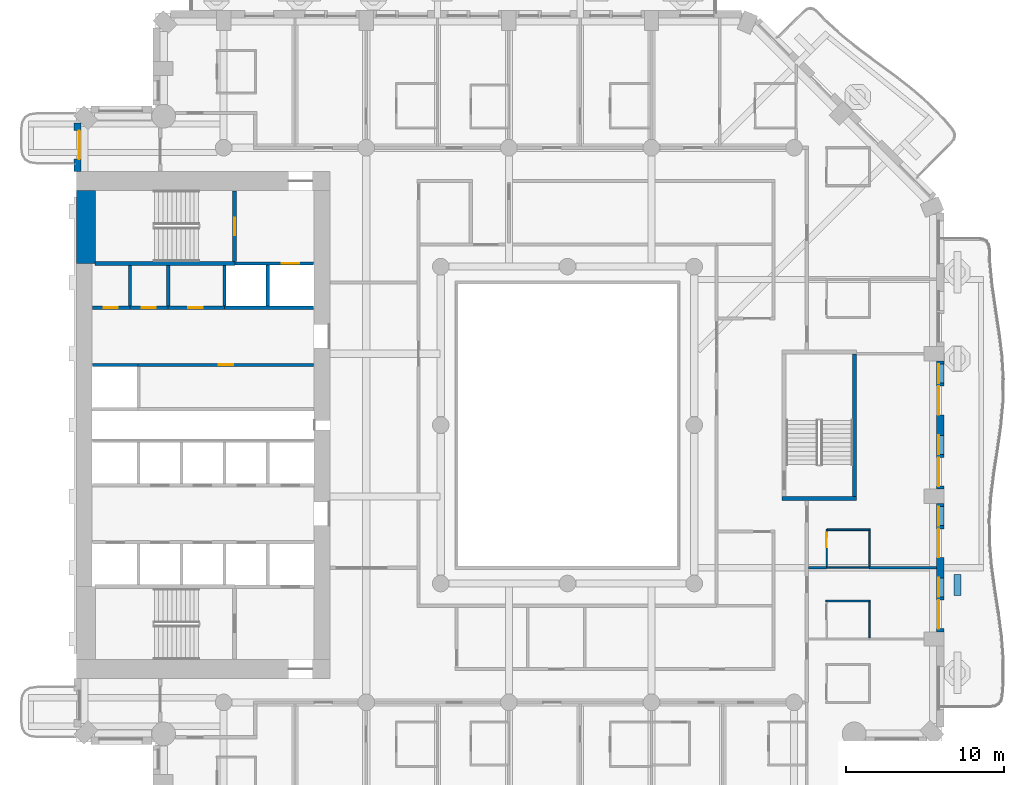
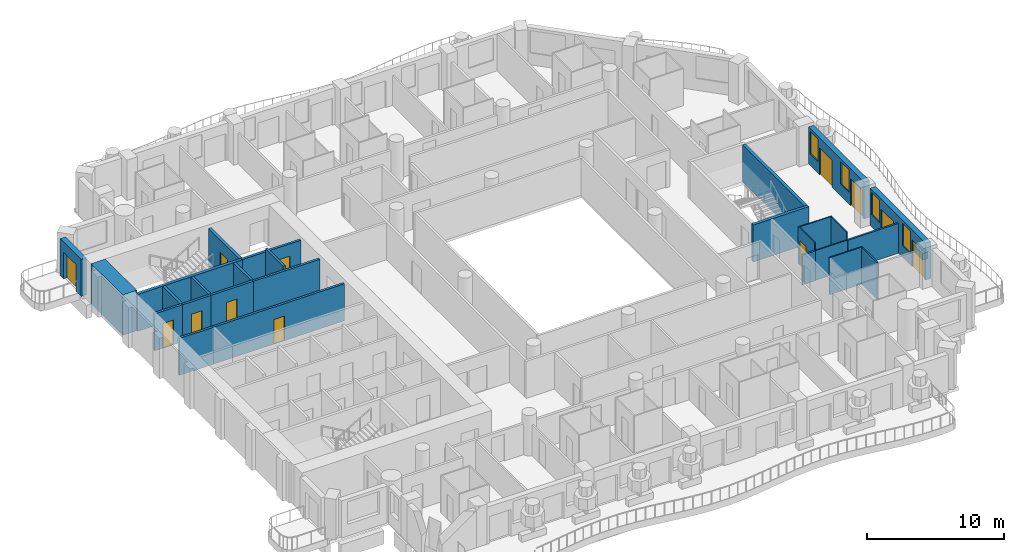
# One storey, part 7 of 20: 28 walls, 12 doors, 4 windows, 16 openings.
"""IFC4 building model written with IfcOpenShell, lengths in metres."""

from ifc_helpers import new_model, si_unit, direction, frame, frame_2d, origin, place, context, subcontext, project, spatial, rectangle, extrude, material, layer, layer_set, type_object, element, fill, save


model = new_model("IFC4")

# Units and contexts
model_context = context("Model", 3, precision=1e-05, world=origin(), true_north=direction((0.0, 1.0)))
body_context = subcontext(model_context, "Body", "Model", "MODEL_VIEW")
ifc_project = project(units=[si_unit("LENGTHUNIT", "METRE"), si_unit("AREAUNIT", "SQUARE_METRE"), si_unit("VOLUMEUNIT", "CUBIC_METRE"), si_unit("PLANEANGLEUNIT", "RADIAN"), si_unit("MASSUNIT", "GRAM", prefix="KILO")], contexts=[model_context])

# Site, building, storey
site_placement = place(None, origin())
site = spatial("IfcSite", under=ifc_project, at=site_placement, CompositionType="ELEMENT")
building_placement = place(site_placement, origin())
building = spatial("IfcBuilding", under=site, at=building_placement, Name="Cypress Arch Tower", CompositionType="ELEMENT")
storey_placement = place(building_placement, frame((0.0, 0.0, 116.699951171875)))
storey = spatial("IfcBuildingStorey", under=building, at=storey_placement, Name="L24", CompositionType="ELEMENT", Elevation=116.699951171875)

# Wall
ifc_material_1 = material(Name="Concrete C40/50, waterproofed", Category="concrete")
ifc_layer_1 = layer(ifc_material_1, 0.449951171875)
ifc_layer_set_1 = layer_set([ifc_layer_1], Name="Balcony planter wall PW450")
wall_type_1 = type_object("IfcWallType", Name="Balcony planter wall PW450", PredefinedType="SOLIDWALL", material=ifc_layer_set_1)
wall_1_placement = place(storey_placement, frame((25.60009765625, -10.75, 0.0), z_axis=(0.0, 0.0, 1.0), x_axis=(0.0, 1.0, 0.0)))
element("IfcWall", 1, at=wall_1_placement, inside=storey, type_object=wall_type_1, Name="Balcony planter wall L24-A06.2", PredefinedType="SOLIDWALL", context=body_context, shape_type="SweptSolid", body=[
    extrude(rectangle(XDim=1.32861328125, YDim=0.449951171875, at=frame_2d((0.664306640625, 0.0))), origin(), (0.0, 0.0, 1.0), 0.60009765625),
])

# Wall, opening, door
ifc_material_2 = material(Name="Brick (red buff blend)", Category="masonry")
ifc_layer_2 = layer(ifc_material_2, 0.449951171875)
ifc_layer_set_2 = layer_set([ifc_layer_2], Name="Brick pier and spandrel wall BW450")
wall_type_2 = type_object("IfcWallType", Name="Brick pier and spandrel wall BW450", PredefinedType="SOLIDWALL", material=ifc_layer_set_2)
wall_2_placement = place(storey_placement, frame((-29.925048828125, 19.063720703125, 0.0), z_axis=(0.0, 0.0, 1.0), x_axis=(0.0, -1.0, 0.0)))
wall_2 = element("IfcWall", 2, at=wall_2_placement, inside=storey, type_object=wall_type_2, Name="Brick wall L24 A00.0", PredefinedType="SOLIDWALL", context=body_context, shape_type="SweptSolid", body=[
    extrude(rectangle(XDim=3.063720703125, YDim=0.449951171875, at=frame_2d((1.53173828125, 0.0))), origin(), (0.0, 0.0, 1.0), 3.300048828125),
])
opening_1_placement = place(wall_2_placement, frame((0.481689453125, 0.0, 0.0)))
opening_1 = element("IfcOpeningElement", 3, at=opening_1_placement, cuts=wall_2, Name="Opening D-L24-A00.0.1", PredefinedType="OPENING", context=body_context, shape_type="SweptSolid", body=[
    extrude(rectangle(XDim=1.800048828125, YDim=2.39990234375, at=frame_2d((0.89990234375, 1.199951171875))), frame((0.0, 0.23486328125, 0.0), z_axis=(0.0, -1.0, 0.0), x_axis=(1.0, 0.0, 0.0)), (0.0, 0.0, 1.0), 0.469970703125),
])
ifc_material_3 = material(Name="Anodised aluminium, bronze finish, laminated low-emissivity double glazing, large-missile impact rated", Category="aluminium")
door_type_1 = type_object("IfcDoorType", Name="Balcony sliding door 1800x2400", OperationType="SLIDING_TO_LEFT", PredefinedType="DOOR", material=ifc_material_3)
door_1_placement = place(opening_1_placement, origin())
door_1 = element("IfcDoor", 4, at=door_1_placement, inside=storey, type_object=door_type_1, Name="Balcony door L24 A00.0.1", OperationType="SLIDING_TO_LEFT", OverallHeight=2.39990234375, OverallWidth=1.800048828125, PredefinedType="DOOR", context=body_context, shape_type="SweptSolid", body=[
    extrude(rectangle(XDim=1.800048828125, YDim=2.39990234375, at=frame_2d((0.89990234375, 1.199951171875))), frame((0.0, 0.1298828125, 0.0), z_axis=(0.0, -1.0, 0.0), x_axis=(1.0, 0.0, 0.0)), (0.0, 0.0, 1.0), 0.050048828125),
])
fill(opening_1, door_1)

# Wall, openings, doors, windows
wall_3_placement = place(storey_placement, frame((24.52490234375, -13.050048828125, 0.0), z_axis=(0.0, 0.0, 1.0), x_axis=(0.0, 1.0, 0.0)))
wall_3 = element("IfcWall", 5, at=wall_3_placement, inside=storey, type_object=wall_type_2, Name="Brick wall L24 A06.1", PredefinedType="SOLIDWALL", context=body_context, shape_type="SweptSolid", body=[
    extrude(rectangle(XDim=8.10009765625, YDim=0.449951171875, at=frame_2d((4.050048828125, 0.0))), origin(), (0.0, 0.0, 1.0), 3.300048828125),
])
opening_2_placement = place(wall_3_placement, frame((0.199951171875, 0.0, 0.0)))
opening_2 = element("IfcOpeningElement", 6, at=opening_2_placement, cuts=wall_3, Name="Opening D-L24-A06.1.1", PredefinedType="OPENING", context=body_context, shape_type="SweptSolid", body=[
    extrude(rectangle(XDim=1.800048828125, YDim=2.39990234375, at=frame_2d((0.89990234375, 1.199951171875))), frame((0.0, 0.23486328125, 0.0), z_axis=(0.0, -1.0, 0.0), x_axis=(1.0, 0.0, 0.0)), (0.0, 0.0, 1.0), 0.469970703125),
])
opening_3_placement = place(wall_3_placement, frame((2.199951171875, 0.0, 1.050048828125)))
opening_3 = element("IfcOpeningElement", 7, at=opening_3_placement, cuts=wall_3, Name="Opening W120HD", PredefinedType="OPENING", context=body_context, shape_type="SweptSolid", body=[
    extrude(rectangle(XDim=1.199951171875, YDim=2.0, at=frame_2d((0.60009765625, 1.0))), frame((0.0, 0.23486328125, 0.0), z_axis=(0.0, -1.0, 0.0), x_axis=(1.0, 0.0, 0.0)), (0.0, 0.0, 1.0), 0.469970703125),
])
opening_4_placement = place(wall_3_placement, frame((4.699951171875, 0.0, 0.0)))
opening_4 = element("IfcOpeningElement", 8, at=opening_4_placement, cuts=wall_3, Name="Opening D-L24-A06.1.2", PredefinedType="OPENING", context=body_context, shape_type="SweptSolid", body=[
    extrude(rectangle(XDim=1.800048828125, YDim=2.39990234375, at=frame_2d((0.89990234375, 1.199951171875))), frame((0.0, 0.23486328125, 0.0), z_axis=(0.0, -1.0, 0.0), x_axis=(1.0, 0.0, 0.0)), (0.0, 0.0, 1.0), 0.469970703125),
])
opening_5_placement = place(wall_3_placement, frame((6.699951171875, 0.0, 1.050048828125)))
opening_5 = element("IfcOpeningElement", 9, at=opening_5_placement, cuts=wall_3, Name="Opening W120HD", PredefinedType="OPENING", context=body_context, shape_type="SweptSolid", body=[
    extrude(rectangle(XDim=1.199951171875, YDim=2.0, at=frame_2d((0.60009765625, 1.0))), frame((0.0, 0.23486328125, 0.0), z_axis=(0.0, -1.0, 0.0), x_axis=(1.0, 0.0, 0.0)), (0.0, 0.0, 1.0), 0.469970703125),
])
door_2_placement = place(opening_2_placement, origin())
door_2 = element("IfcDoor", 10, at=door_2_placement, inside=storey, type_object=door_type_1, Name="Balcony door L24 A06.1.1", OperationType="SLIDING_TO_LEFT", OverallHeight=2.39990234375, OverallWidth=1.800048828125, PredefinedType="DOOR", context=body_context, shape_type="SweptSolid", body=[
    extrude(rectangle(XDim=1.800048828125, YDim=2.39990234375, at=frame_2d((0.89990234375, 1.199951171875))), frame((0.0, 0.1298828125, 0.0), z_axis=(0.0, -1.0, 0.0), x_axis=(1.0, 0.0, 0.0)), (0.0, 0.0, 1.0), 0.050048828125),
])
fill(opening_2, door_2)
door_3_placement = place(opening_4_placement, origin())
door_3 = element("IfcDoor", 11, at=door_3_placement, inside=storey, type_object=door_type_1, Name="Balcony door L24 A06.1.2", OperationType="SLIDING_TO_LEFT", OverallHeight=2.39990234375, OverallWidth=1.800048828125, PredefinedType="DOOR", context=body_context, shape_type="SweptSolid", body=[
    extrude(rectangle(XDim=1.800048828125, YDim=2.39990234375, at=frame_2d((0.89990234375, 1.199951171875))), frame((0.0, 0.1298828125, 0.0), z_axis=(0.0, -1.0, 0.0), x_axis=(1.0, 0.0, 0.0)), (0.0, 0.0, 1.0), 0.050048828125),
])
fill(opening_4, door_3)
ifc_material_4 = material(Name="Anodised aluminium, bronze finish, laminated low-emissivity double glazing, large-missile impact rated", Category="aluminium")
window_type = type_object("IfcWindowType", Name="Window Hotel 1200x2000 debris-rated", PartitioningType="SINGLE_PANEL", PredefinedType="WINDOW", material=ifc_material_4)
window_1_placement = place(opening_3_placement, origin())
window_1 = element("IfcWindow", 12, at=window_1_placement, inside=storey, type_object=window_type, Name="Window L24 A06.1.1", OverallHeight=2.0, OverallWidth=1.199951171875, PartitioningType="SINGLE_PANEL", PredefinedType="WINDOW", context=body_context, shape_type="SweptSolid", body=[
    extrude(rectangle(XDim=1.199951171875, YDim=2.0, at=frame_2d((0.60009765625, 1.0))), frame((0.0, 0.135009765625, 0.0), z_axis=(0.0, -1.0, 0.0), x_axis=(1.0, 0.0, 0.0)), (0.0, 0.0, 1.0), 0.06005859375),
])
fill(opening_3, window_1)
window_2_placement = place(opening_5_placement, origin())
window_2 = element("IfcWindow", 13, at=window_2_placement, inside=storey, type_object=window_type, Name="Window L24 A06.1.2", OverallHeight=2.0, OverallWidth=1.199951171875, PartitioningType="SINGLE_PANEL", PredefinedType="WINDOW", context=body_context, shape_type="SweptSolid", body=[
    extrude(rectangle(XDim=1.199951171875, YDim=2.0, at=frame_2d((0.60009765625, 1.0))), frame((0.0, 0.135009765625, 0.0), z_axis=(0.0, -1.0, 0.0), x_axis=(1.0, 0.0, 0.0)), (0.0, 0.0, 1.0), 0.06005859375),
])
fill(opening_5, window_2)

wall_4_placement = place(storey_placement, frame((24.52490234375, -4.050048828125, 0.0), z_axis=(0.0, 0.0, 1.0), x_axis=(0.0, 1.0, 0.0)))
wall_4 = element("IfcWall", 14, at=wall_4_placement, inside=storey, type_object=wall_type_2, Name="Brick wall L24 A06.2", PredefinedType="SOLIDWALL", context=body_context, shape_type="SweptSolid", body=[
    extrude(rectangle(XDim=8.10009765625, YDim=0.449951171875, at=frame_2d((4.050048828125, 0.0))), origin(), (0.0, 0.0, 1.0), 3.300048828125),
])
opening_6_placement = place(wall_4_placement, frame((0.199951171875, 0.0, 0.0)))
opening_6 = element("IfcOpeningElement", 15, at=opening_6_placement, cuts=wall_4, Name="Opening D-L24-A06.2.1", PredefinedType="OPENING", context=body_context, shape_type="SweptSolid", body=[
    extrude(rectangle(XDim=1.800048828125, YDim=2.39990234375, at=frame_2d((0.89990234375, 1.199951171875))), frame((0.0, 0.23486328125, 0.0), z_axis=(0.0, -1.0, 0.0), x_axis=(1.0, 0.0, 0.0)), (0.0, 0.0, 1.0), 0.469970703125),
])
opening_7_placement = place(wall_4_placement, frame((2.199951171875, 0.0, 1.050048828125)))
opening_7 = element("IfcOpeningElement", 16, at=opening_7_placement, cuts=wall_4, Name="Opening W120HD", PredefinedType="OPENING", context=body_context, shape_type="SweptSolid", body=[
    extrude(rectangle(XDim=1.199951171875, YDim=2.0, at=frame_2d((0.60009765625, 1.0))), frame((0.0, 0.23486328125, 0.0), z_axis=(0.0, -1.0, 0.0), x_axis=(1.0, 0.0, 0.0)), (0.0, 0.0, 1.0), 0.469970703125),
])
opening_8_placement = place(wall_4_placement, frame((4.699951171875, 0.0, 0.0)))
opening_8 = element("IfcOpeningElement", 17, at=opening_8_placement, cuts=wall_4, Name="Opening D-L24-A06.2.2", PredefinedType="OPENING", context=body_context, shape_type="SweptSolid", body=[
    extrude(rectangle(XDim=1.800048828125, YDim=2.39990234375, at=frame_2d((0.89990234375, 1.199951171875))), frame((0.0, 0.23486328125, 0.0), z_axis=(0.0, -1.0, 0.0), x_axis=(1.0, 0.0, 0.0)), (0.0, 0.0, 1.0), 0.469970703125),
])
opening_9_placement = place(wall_4_placement, frame((6.699951171875, 0.0, 1.050048828125)))
opening_9 = element("IfcOpeningElement", 18, at=opening_9_placement, cuts=wall_4, Name="Opening W120HD", PredefinedType="OPENING", context=body_context, shape_type="SweptSolid", body=[
    extrude(rectangle(XDim=1.199951171875, YDim=2.0, at=frame_2d((0.60009765625, 1.0))), frame((0.0, 0.23486328125, 0.0), z_axis=(0.0, -1.0, 0.0), x_axis=(1.0, 0.0, 0.0)), (0.0, 0.0, 1.0), 0.469970703125),
])
door_4_placement = place(opening_6_placement, origin())
door_4 = element("IfcDoor", 19, at=door_4_placement, inside=storey, type_object=door_type_1, Name="Balcony door L24 A06.2.1", OperationType="SLIDING_TO_LEFT", OverallHeight=2.39990234375, OverallWidth=1.800048828125, PredefinedType="DOOR", context=body_context, shape_type="SweptSolid", body=[
    extrude(rectangle(XDim=1.800048828125, YDim=2.39990234375, at=frame_2d((0.89990234375, 1.199951171875))), frame((0.0, 0.1298828125, 0.0), z_axis=(0.0, -1.0, 0.0), x_axis=(1.0, 0.0, 0.0)), (0.0, 0.0, 1.0), 0.050048828125),
])
fill(opening_6, door_4)
door_5_placement = place(opening_8_placement, origin())
door_5 = element("IfcDoor", 20, at=door_5_placement, inside=storey, type_object=door_type_1, Name="Balcony door L24 A06.2.2", OperationType="SLIDING_TO_LEFT", OverallHeight=2.39990234375, OverallWidth=1.800048828125, PredefinedType="DOOR", context=body_context, shape_type="SweptSolid", body=[
    extrude(rectangle(XDim=1.800048828125, YDim=2.39990234375, at=frame_2d((0.89990234375, 1.199951171875))), frame((0.0, 0.1298828125, 0.0), z_axis=(0.0, -1.0, 0.0), x_axis=(1.0, 0.0, 0.0)), (0.0, 0.0, 1.0), 0.050048828125),
])
fill(opening_8, door_5)
window_3_placement = place(opening_7_placement, origin())
window_3 = element("IfcWindow", 21, at=window_3_placement, inside=storey, type_object=window_type, Name="Window L24 A06.2.1", OverallHeight=2.0, OverallWidth=1.199951171875, PartitioningType="SINGLE_PANEL", PredefinedType="WINDOW", context=body_context, shape_type="SweptSolid", body=[
    extrude(rectangle(XDim=1.199951171875, YDim=2.0, at=frame_2d((0.60009765625, 1.0))), frame((0.0, 0.135009765625, 0.0), z_axis=(0.0, -1.0, 0.0), x_axis=(1.0, 0.0, 0.0)), (0.0, 0.0, 1.0), 0.06005859375),
])
fill(opening_7, window_3)
window_4_placement = place(opening_9_placement, origin())
window_4 = element("IfcWindow", 22, at=window_4_placement, inside=storey, type_object=window_type, Name="Window L24 A06.2.2", OverallHeight=2.0, OverallWidth=1.199951171875, PartitioningType="SINGLE_PANEL", PredefinedType="WINDOW", context=body_context, shape_type="SweptSolid", body=[
    extrude(rectangle(XDim=1.199951171875, YDim=2.0, at=frame_2d((0.60009765625, 1.0))), frame((0.0, 0.135009765625, 0.0), z_axis=(0.0, -1.0, 0.0), x_axis=(1.0, 0.0, 0.0)), (0.0, 0.0, 1.0), 0.06005859375),
])
fill(opening_9, window_4)

# Wall
ifc_material_5 = material(Name="Concrete C80/95", Category="concrete")
ifc_layer_3 = layer(ifc_material_5, 1.199951171875)
ifc_layer_set_3 = layer_set([ifc_layer_3], Name="Core wall CW1200 C80/95")
wall_type_3 = type_object("IfcWallType", Name="Core wall CW1200 C80/95", PredefinedType="SHEAR", material=ifc_layer_set_3)
wall_5_placement = place(storey_placement, frame((-29.39990234375, 10.199951171875, 0.0), z_axis=(0.0, 0.0, 1.0), x_axis=(0.0, 1.0, 0.0)))
element("IfcWall", 23, at=wall_5_placement, inside=storey, type_object=wall_type_3, Name="Core wall", PredefinedType="SHEAR", context=body_context, shape_type="SweptSolid", body=[
    extrude(rectangle(XDim=4.60009765625, YDim=1.199951171875, at=frame_2d((2.300048828125, 0.0))), origin(), (0.0, 0.0, 1.0), 3.60009765625),
])

# Wall, opening, door
ifc_material_6 = material(Name="Concrete blockwork, plastered, rated", Category="masonry")
ifc_layer_4 = layer(ifc_material_6, 0.199951171875)
ifc_layer_set_4 = layer_set([ifc_layer_4], Name="Corridor wall FW200")
wall_type_4 = type_object("IfcWallType", Name="Corridor wall FW200", PredefinedType="PARTITIONING", material=ifc_layer_set_4)
wall_6_placement = place(storey_placement, frame((-28.969970703125, 7.39990234375, 0.0), z_axis=(0.0, 0.0, 1.0), x_axis=(1.0, 0.0, 0.0)))
wall_6 = element("IfcWall", 24, at=wall_6_placement, inside=storey, type_object=wall_type_4, Name="Corridor wall", PredefinedType="PARTITIONING", context=body_context, shape_type="SweptSolid", body=[
    extrude(rectangle(XDim=2.349853515625, YDim=0.199951171875, at=frame_2d((1.1748046875, 0.0))), origin(), (0.0, 0.0, 1.0), 3.300048828125),
])
opening_10_placement = place(wall_6_placement, frame((0.699951171875, 0.0, 0.0)))
opening_10 = element("IfcOpeningElement", 25, at=opening_10_placement, cuts=wall_6, Name="Opening D05", PredefinedType="OPENING", context=body_context, shape_type="SweptSolid", body=[
    extrude(rectangle(XDim=0.89990234375, YDim=2.199951171875, at=frame_2d((0.449951171875, 1.10009765625))), frame((0.0, 0.10986328125, 0.0), z_axis=(0.0, -1.0, 0.0), x_axis=(1.0, 0.0, 0.0)), (0.0, 0.0, 1.0), 0.219970703125),
])
ifc_material_7 = material(Name="Timber flush door", Category="wood")
door_type_2 = type_object("IfcDoorType", Name="Service door D05 900x2200", OperationType="SINGLE_SWING_LEFT", PredefinedType="DOOR", material=ifc_material_7)
door_6_placement = place(opening_10_placement, origin())
door_6 = element("IfcDoor", 26, at=door_6_placement, inside=storey, type_object=door_type_2, Name="Service door", OperationType="SINGLE_SWING_RIGHT", OverallHeight=2.199951171875, OverallWidth=0.89990234375, PredefinedType="DOOR", context=body_context, shape_type="SweptSolid", body=[
    extrude(rectangle(XDim=0.89990234375, YDim=2.199951171875, at=frame_2d((0.449951171875, 1.10009765625))), frame((0.0, 0.02490234375, 0.0), z_axis=(0.0, -1.0, 0.0), x_axis=(1.0, 0.0, 0.0)), (0.0, 0.0, 1.0), 0.050048828125),
])
fill(opening_10, door_6)

wall_7_placement = place(storey_placement, frame((-26.10009765625, 3.800048828125, 0.0), z_axis=(0.0, 0.0, 1.0), x_axis=(1.0, 0.0, 0.0)))
wall_7 = element("IfcWall", 27, at=wall_7_placement, inside=storey, type_object=wall_type_4, Name="Corridor wall", PredefinedType="PARTITIONING", context=body_context, shape_type="SweptSolid", body=[
    extrude(rectangle(XDim=11.070068359375, YDim=0.199951171875, at=frame_2d((5.53515625, 0.0))), origin(), (0.0, 0.0, 1.0), 3.300048828125),
])
opening_11_placement = place(wall_7_placement, frame((5.10009765625, 0.0, 0.0)))
opening_11 = element("IfcOpeningElement", 28, at=opening_11_placement, cuts=wall_7, Name="Opening D05", PredefinedType="OPENING", context=body_context, shape_type="SweptSolid", body=[
    extrude(rectangle(XDim=0.89990234375, YDim=2.199951171875, at=frame_2d((0.449951171875, 1.10009765625))), frame((0.0, 0.10986328125, 0.0), z_axis=(0.0, -1.0, 0.0), x_axis=(1.0, 0.0, 0.0)), (0.0, 0.0, 1.0), 0.219970703125),
])
door_7_placement = place(opening_11_placement, origin())
door_7 = element("IfcDoor", 29, at=door_7_placement, inside=storey, type_object=door_type_2, Name="Service door", OperationType="SINGLE_SWING_LEFT", OverallHeight=2.199951171875, OverallWidth=0.89990234375, PredefinedType="DOOR", context=body_context, shape_type="SweptSolid", body=[
    extrude(rectangle(XDim=0.89990234375, YDim=2.199951171875, at=frame_2d((0.449951171875, 1.10009765625))), frame((0.0, 0.02490234375, 0.0), z_axis=(0.0, -1.0, 0.0), x_axis=(1.0, 0.0, 0.0)), (0.0, 0.0, 1.0), 0.050048828125),
])
fill(opening_11, door_7)

wall_8_placement = place(storey_placement, frame((-24.219970703125, 7.39990234375, 0.0), z_axis=(0.0, 0.0, 1.0), x_axis=(1.0, 0.0, 0.0)))
wall_8 = element("IfcWall", 30, at=wall_8_placement, inside=storey, type_object=wall_type_4, Name="Corridor wall", PredefinedType="PARTITIONING", context=body_context, shape_type="SweptSolid", body=[
    extrude(rectangle(XDim=3.580078125, YDim=0.199951171875, at=frame_2d((1.7900390625, 0.0))), origin(), (0.0, 0.0, 1.0), 3.300048828125),
])
opening_12_placement = place(wall_8_placement, frame((1.300048828125, 0.0, 0.0)))
opening_12 = element("IfcOpeningElement", 31, at=opening_12_placement, cuts=wall_8, Name="Opening D05", PredefinedType="OPENING", context=body_context, shape_type="SweptSolid", body=[
    extrude(rectangle(XDim=0.89990234375, YDim=2.199951171875, at=frame_2d((0.449951171875, 1.10009765625))), frame((0.0, 0.10986328125, 0.0), z_axis=(0.0, -1.0, 0.0), x_axis=(1.0, 0.0, 0.0)), (0.0, 0.0, 1.0), 0.219970703125),
])
door_8_placement = place(opening_12_placement, origin())
door_8 = element("IfcDoor", 32, at=door_8_placement, inside=storey, type_object=door_type_2, Name="Service door", OperationType="SINGLE_SWING_LEFT", OverallHeight=2.199951171875, OverallWidth=0.89990234375, PredefinedType="DOOR", context=body_context, shape_type="SweptSolid", body=[
    extrude(rectangle(XDim=0.89990234375, YDim=2.199951171875, at=frame_2d((0.449951171875, 1.10009765625))), frame((0.0, 0.02490234375, 0.0), z_axis=(0.0, -1.0, 0.0), x_axis=(1.0, 0.0, 0.0)), (0.0, 0.0, 1.0), 0.050048828125),
])
fill(opening_12, door_8)

# Walls
ifc_material_8 = material(Name="Blockwork, plastered both sides", Category="masonry")
ifc_layer_5 = layer(ifc_material_8, 0.14990234375)
ifc_layer_set_5 = layer_set([ifc_layer_5], Name="Partition PW150")
wall_type_5 = type_object("IfcWallType", Name="Partition PW150", PredefinedType="PARTITIONING", material=ifc_layer_set_5)
wall_9_placement = place(storey_placement, frame((16.199951171875, -9.0, 0.0), z_axis=(0.0, 0.0, 1.0), x_axis=(1.0, 0.0, 0.0)))
element("IfcWall", 33, at=wall_9_placement, inside=storey, type_object=wall_type_5, Name="Partition", PredefinedType="PARTITIONING", context=body_context, shape_type="SweptSolid", body=[
    extrude(rectangle(XDim=1.130126953125, YDim=0.14990234375, at=frame_2d((0.56494140625, 0.0))), origin(), (0.0, 0.0, 1.0), 2.650146484375),
])
wall_10_placement = place(storey_placement, frame((20.030029296875, -9.0, 0.0), z_axis=(0.0, 0.0, 1.0), x_axis=(1.0, 0.0, 0.0)))
element("IfcWall", 34, at=wall_10_placement, inside=storey, type_object=wall_type_5, Name="Partition", PredefinedType="PARTITIONING", context=body_context, shape_type="SweptSolid", body=[
    extrude(rectangle(XDim=4.27001953125, YDim=0.14990234375, at=frame_2d((2.135009765625, 0.0))), origin(), (0.0, 0.0, 1.0), 2.650146484375),
])

# Wall, opening, door
ifc_material_9 = material(Name="Reinforced blockwork, plastered, rated", Category="masonry")
ifc_layer_6 = layer(ifc_material_9, 0.199951171875)
ifc_layer_set_6 = layer_set([ifc_layer_6], Name="Plant and riser wall PL200")
wall_type_6 = type_object("IfcWallType", Name="Plant and riser wall PL200", PredefinedType="PARTITIONING", material=ifc_layer_set_6)
wall_11_placement = place(storey_placement, frame((-26.6201171875, 7.39990234375, 0.0), z_axis=(0.0, 0.0, 1.0), x_axis=(1.0, 0.0, 0.0)))
wall_11 = element("IfcWall", 35, at=wall_11_placement, inside=storey, type_object=wall_type_6, Name="Plant and riser wall", PredefinedType="PARTITIONING", context=body_context, shape_type="SweptSolid", body=[
    extrude(rectangle(XDim=2.400146484375, YDim=0.199951171875, at=frame_2d((1.2001953125, 0.0))), origin(), (0.0, 0.0, 1.0), 3.300048828125),
])
opening_13_placement = place(wall_11_placement, frame((0.75, 0.0, 0.0)))
opening_13 = element("IfcOpeningElement", 36, at=opening_13_placement, cuts=wall_11, Name="Opening D05", PredefinedType="OPENING", context=body_context, shape_type="SweptSolid", body=[
    extrude(rectangle(XDim=0.89990234375, YDim=2.199951171875, at=frame_2d((0.449951171875, 1.10009765625))), frame((0.0, 0.10986328125, 0.0), z_axis=(0.0, -1.0, 0.0), x_axis=(1.0, 0.0, 0.0)), (0.0, 0.0, 1.0), 0.219970703125),
])
door_9_placement = place(opening_13_placement, origin())
door_9 = element("IfcDoor", 37, at=door_9_placement, inside=storey, type_object=door_type_2, Name="Service door", OperationType="SINGLE_SWING_LEFT", OverallHeight=2.199951171875, OverallWidth=0.89990234375, PredefinedType="DOOR", context=body_context, shape_type="SweptSolid", body=[
    extrude(rectangle(XDim=0.89990234375, YDim=2.199951171875, at=frame_2d((0.449951171875, 1.10009765625))), frame((0.0, 0.02490234375, 0.0), z_axis=(0.0, -1.0, 0.0), x_axis=(1.0, 0.0, 0.0)), (0.0, 0.0, 1.0), 0.050048828125),
])
fill(opening_13, door_9)

# Walls
for number, where, z_axis, x_axis, name in (
    (38, (-26.60009765625, 7.5, 0.0), (0.0, 0.0, 1.0), (0.0, 1.0, 0.0), "Plant and riser wall"),
    (39, (-24.199951171875, 7.5, 0.0), (0.0, 0.0, 1.0), (0.0, 1.0, 0.0), "Plant and riser wall"),
):
    element("IfcWall", number, at=place(storey_placement, frame(where, z_axis=z_axis, x_axis=x_axis)), inside=storey, type_object=wall_type_6, Name=name, PredefinedType="PARTITIONING", context=body_context, shape_type="SweptSolid", body=[
        extrude(rectangle(XDim=2.574951171875, YDim=0.199951171875, at=frame_2d((1.28759765625, 0.0))), origin(), (0.0, 0.0, 1.0), 3.300048828125),
    ])
ifc_material_10 = material(Name="Concrete C50/60", Category="concrete")
ifc_layer_7 = layer(ifc_material_10, 0.199951171875)
ifc_layer_set_7 = layer_set([ifc_layer_7], Name="Shaft wall SH200")
wall_type_7 = type_object("IfcWallType", Name="Shaft wall SH200", PredefinedType="SHEAR", material=ifc_layer_set_7)
wall_12_placement = place(storey_placement, frame((-28.969970703125, 3.800048828125, 0.0), z_axis=(0.0, 0.0, 1.0), x_axis=(1.0, 0.0, 0.0)))
element("IfcWall", 40, at=wall_12_placement, inside=storey, type_object=wall_type_7, Name="Shaft wall", PredefinedType="SHEAR", context=body_context, shape_type="SweptSolid", body=[
    extrude(rectangle(XDim=2.869873046875, YDim=0.199951171875, at=frame_2d((1.43505859375, 0.0))), origin(), (0.0, 0.0, 1.0), 3.300048828125),
])
wall_13_placement = place(storey_placement, frame((-20.639892578125, 7.5, 0.0), z_axis=(0.0, 0.0, 1.0), x_axis=(0.0, 1.0, 0.0)))
element("IfcWall", 41, at=wall_13_placement, inside=storey, type_object=wall_type_7, Name="Shaft wall", PredefinedType="SHEAR", context=body_context, shape_type="SweptSolid", body=[
    extrude(rectangle(XDim=2.574951171875, YDim=0.199951171875, at=frame_2d((1.28759765625, 0.0))), origin(), (0.0, 0.0, 1.0), 3.300048828125),
])
wall_14_placement = place(storey_placement, frame((-20.639892578125, 7.39990234375, 0.0), z_axis=(0.0, 0.0, 1.0), x_axis=(1.0, 0.0, 0.0)))
element("IfcWall", 42, at=wall_14_placement, inside=storey, type_object=wall_type_7, Name="Shaft wall", PredefinedType="SHEAR", context=body_context, shape_type="SweptSolid", body=[
    extrude(rectangle(XDim=5.60986328125, YDim=0.199951171875, at=frame_2d((2.804931640625, 0.0))), origin(), (0.0, 0.0, 1.0), 3.300048828125),
])

# Wall, opening, door
wall_15_placement = place(storey_placement, frame((-19.97998046875, 10.199951171875, 0.0), z_axis=(0.0, 0.0, 1.0), x_axis=(1.0, 0.0, 0.0)))
wall_15 = element("IfcWall", 43, at=wall_15_placement, inside=storey, type_object=wall_type_7, Name="Shaft wall", PredefinedType="SHEAR", context=body_context, shape_type="SweptSolid", body=[
    extrude(rectangle(XDim=4.949951171875, YDim=0.199951171875, at=frame_2d((2.47509765625, 0.0))), origin(), (0.0, 0.0, 1.0), 3.300048828125),
])
opening_14_placement = place(wall_15_placement, frame((2.949951171875, 0.0, 0.0)))
opening_14 = element("IfcOpeningElement", 44, at=opening_14_placement, cuts=wall_15, Name="Opening LD-FL2", PredefinedType="OPENING", context=body_context, shape_type="SweptSolid", body=[
    extrude(rectangle(XDim=1.10009765625, YDim=2.199951171875, at=frame_2d((0.550048828125, 1.10009765625))), frame((0.0, 0.10986328125, 0.0), z_axis=(0.0, -1.0, 0.0), x_axis=(1.0, 0.0, 0.0)), (0.0, 0.0, 1.0), 0.219970703125),
])
ifc_material_11 = material(Name="Stainless steel centre-opening landing door, rated", Category="steel")
door_type_3 = type_object("IfcDoorType", Name="Lift landing door LD 1100x2200", OperationType="DOUBLE_DOOR_SLIDING", PredefinedType="DOOR", material=ifc_material_11)
door_10_placement = place(opening_14_placement, origin())
door_10 = element("IfcDoor", 45, at=door_10_placement, inside=storey, type_object=door_type_3, Name="Lift landing doors FL2", OperationType="DOUBLE_DOOR_SLIDING", OverallHeight=2.199951171875, OverallWidth=1.10009765625, PredefinedType="DOOR", context=body_context, shape_type="SweptSolid", body=[
    extrude(rectangle(XDim=1.10009765625, YDim=2.199951171875, at=frame_2d((0.550048828125, 1.10009765625))), frame((0.0, 0.02490234375, 0.0), z_axis=(0.0, -1.0, 0.0), x_axis=(1.0, 0.0, 0.0)), (0.0, 0.0, 1.0), 0.050048828125),
])
fill(opening_14, door_10)

# Walls
wall_16_placement = place(storey_placement, frame((-17.919921875, 7.5, 0.0), z_axis=(0.0, 0.0, 1.0), x_axis=(0.0, 1.0, 0.0)))
element("IfcWall", 46, at=wall_16_placement, inside=storey, type_object=wall_type_7, Name="Shaft wall", PredefinedType="SHEAR", context=body_context, shape_type="SweptSolid", body=[
    extrude(rectangle(XDim=2.60009765625, YDim=0.199951171875, at=frame_2d((1.300048828125, 0.0))), origin(), (0.0, 0.0, 1.0), 3.60009765625),
])
ifc_material_12 = material(Name="Concrete C50/60", Category="concrete")
ifc_layer_8 = layer(ifc_material_12, 0.25)
ifc_layer_set_8 = layer_set([ifc_layer_8], Name="Stair enclosure wall SW250")
wall_type_8 = type_object("IfcWallType", Name="Stair enclosure wall SW250", PredefinedType="SHEAR", material=ifc_layer_set_8)
wall_17_placement = place(storey_placement, frame((-28.81005859375, 10.199951171875, 0.0), z_axis=(0.0, 0.0, 1.0), x_axis=(1.0, 0.0, 0.0)))
element("IfcWall", 47, at=wall_17_placement, inside=storey, type_object=wall_type_8, Name="Stair enclosure wall", PredefinedType="SHEAR", context=body_context, shape_type="SweptSolid", body=[
    extrude(rectangle(XDim=8.830078125, YDim=0.25, at=frame_2d((4.4150390625, 0.0))), origin(), (0.0, 0.0, 1.0), 3.300048828125),
])

# Wall, opening, door
wall_18_placement = place(storey_placement, frame((-20.0, 10.324951171875, 0.0), z_axis=(0.0, 0.0, 1.0), x_axis=(0.0, 1.0, 0.0)))
wall_18 = element("IfcWall", 48, at=wall_18_placement, inside=storey, type_object=wall_type_8, Name="Stair enclosure wall", PredefinedType="SHEAR", context=body_context, shape_type="SweptSolid", body=[
    extrude(rectangle(XDim=4.445068359375, YDim=0.25, at=frame_2d((2.22265625, 0.0))), origin(), (0.0, 0.0, 1.0), 3.300048828125),
])
opening_15_placement = place(wall_18_placement, frame((1.64990234375, 0.0, 0.0)))
opening_15 = element("IfcOpeningElement", 49, at=opening_15_placement, cuts=wall_18, Name="Opening D06", PredefinedType="OPENING", context=body_context, shape_type="SweptSolid", body=[
    extrude(rectangle(XDim=1.10009765625, YDim=2.199951171875, at=frame_2d((0.550048828125, 1.10009765625))), frame((0.0, 0.135009765625, 0.0), z_axis=(0.0, -1.0, 0.0), x_axis=(1.0, 0.0, 0.0)), (0.0, 0.0, 1.0), 0.27001953125),
])
ifc_material_13 = material(Name="Steel door, fire resisting, panic bar", Category="steel")
door_type_4 = type_object("IfcDoorType", Name="Stair door D06 1100x2200", OperationType="SINGLE_SWING_LEFT", PredefinedType="DOOR", material=ifc_material_13)
door_11_placement = place(opening_15_placement, origin())
door_11 = element("IfcDoor", 50, at=door_11_placement, inside=storey, type_object=door_type_4, Name="Stair door", OperationType="SINGLE_SWING_LEFT", OverallHeight=2.199951171875, OverallWidth=1.10009765625, PredefinedType="DOOR", context=body_context, shape_type="SweptSolid", body=[
    extrude(rectangle(XDim=1.10009765625, YDim=2.199951171875, at=frame_2d((0.550048828125, 1.10009765625))), frame((0.0, 0.02490234375, 0.0), z_axis=(0.0, -1.0, 0.0), x_axis=(1.0, 0.0, 0.0)), (0.0, 0.0, 1.0), 0.050048828125),
])
fill(opening_15, door_11)

# Walls
wall_19_placement = place(storey_placement, frame((14.550048828125, -4.625, 0.0), z_axis=(0.0, 0.0, 1.0), x_axis=(1.0, 0.0, 0.0)))
element("IfcWall", 51, at=wall_19_placement, inside=storey, type_object=wall_type_8, Name="Stair enclosure wall", PredefinedType="SHEAR", context=body_context, shape_type="SweptSolid", body=[
    extrude(rectangle(XDim=4.699951171875, YDim=0.25, at=frame_2d((2.35009765625, 0.0))), origin(), (0.0, 0.0, 1.0), 3.300048828125),
])
wall_20_placement = place(storey_placement, frame((19.125, -4.5, 0.0), z_axis=(0.0, 0.0, 1.0), x_axis=(0.0, 1.0, 0.0)))
element("IfcWall", 52, at=wall_20_placement, inside=storey, type_object=wall_type_8, Name="Stair enclosure wall", PredefinedType="SHEAR", context=body_context, shape_type="SweptSolid", body=[
    extrude(rectangle(XDim=9.0, YDim=0.25, at=frame_2d((4.5, 0.0))), origin(), (0.0, 0.0, 1.0), 3.300048828125),
])
ifc_material_14 = material(Name="Moisture resistant board on steel studs, tiled", Category="steel")
ifc_layer_9 = layer(ifc_material_14, 0.10009765625)
ifc_layer_set_9 = layer_set([ifc_layer_9], Name="Wet wall PW100")
wall_type_9 = type_object("IfcWallType", Name="Wet wall PW100", PredefinedType="PARTITIONING", material=ifc_layer_set_9)
wall_21_placement = place(storey_placement, frame((17.330078125, -9.0, 0.0), z_axis=(0.0, 0.0, 1.0), x_axis=(1.0, 0.0, 0.0)))
element("IfcWall", 53, at=wall_21_placement, inside=storey, type_object=wall_type_9, Name="Wet wall", PredefinedType="PARTITIONING", context=body_context, shape_type="SweptSolid", body=[
    extrude(rectangle(XDim=2.699951171875, YDim=0.10009765625, at=frame_2d((1.35009765625, 0.0))), origin(), (0.0, 0.0, 1.0), 2.650146484375),
])
wall_22_placement = place(storey_placement, frame((17.300048828125, -11.10400390625, 0.0), z_axis=(0.0, 0.0, 1.0), x_axis=(1.0, 0.0, 0.0)))
element("IfcWall", 54, at=wall_22_placement, inside=storey, type_object=wall_type_9, Name="Wet wall", PredefinedType="PARTITIONING", context=body_context, shape_type="SweptSolid", body=[
    extrude(rectangle(XDim=2.800048828125, YDim=0.10009765625, at=frame_2d((1.39990234375, 0.0))), origin(), (0.0, 0.0, 1.0), 3.300048828125),
])

# Wall, opening, door
wall_23_placement = place(storey_placement, frame((17.35009765625, -8.949951171875, 0.0), z_axis=(0.0, 0.0, 1.0), x_axis=(0.000407580973, 0.999999916939, 0.0)))
wall_23 = element("IfcWall", 55, at=wall_23_placement, inside=storey, type_object=wall_type_9, Name="Wet wall", PredefinedType="PARTITIONING", context=body_context, shape_type="SweptSolid", body=[
    extrude(rectangle(XDim=2.39599609375, YDim=0.10009765625, at=frame_2d((1.197998046875, 0.0))), origin(), (0.0, 0.0, 1.0), 3.300048828125),
])
opening_16_placement = place(wall_23_placement, frame((1.25, 0.0, 0.0)))
opening_16 = element("IfcOpeningElement", 56, at=opening_16_placement, cuts=wall_23, Name="Opening D03", PredefinedType="OPENING", context=body_context, shape_type="SweptSolid", body=[
    extrude(rectangle(XDim=0.89990234375, YDim=2.199951171875, at=frame_2d((0.449951171875, 1.10009765625))), frame((0.0, 0.06005859375, 0.0), z_axis=(0.0, -1.0, 0.0), x_axis=(1.0, 0.0, 0.0)), (0.0, 0.0, 1.0), 0.1201171875),
])
ifc_material_15 = material(Name="Timber flush door, moisture resistant", Category="wood")
door_type_5 = type_object("IfcDoorType", Name="Bathroom door D03 900x2200", OperationType="SINGLE_SWING_LEFT", PredefinedType="DOOR", material=ifc_material_15)
door_12_placement = place(opening_16_placement, origin())
door_12 = element("IfcDoor", 57, at=door_12_placement, inside=storey, type_object=door_type_5, Name="Bathroom door", OperationType="SINGLE_SWING_LEFT", OverallHeight=2.199951171875, OverallWidth=0.89990234375, PredefinedType="DOOR", context=body_context, shape_type="SweptSolid", body=[
    extrude(rectangle(XDim=0.89990234375, YDim=2.199951171875, at=frame_2d((0.449951171875, 1.10009765625))), frame((0.0, 0.02490234375, 0.0), z_axis=(0.0, -1.0, 0.0), x_axis=(1.0, 0.0, 0.0)), (0.0, 0.0, 1.0), 0.050048828125),
])
fill(opening_16, door_12)

# Walls
wall_24_placement = place(storey_placement, frame((17.40087890625, -6.60400390625, 0.0), z_axis=(0.0, 0.0, 1.0), x_axis=(0.9999999346, -0.000361663629, 0.0)))
element("IfcWall", 58, at=wall_24_placement, inside=storey, type_object=wall_type_9, Name="Wet wall", PredefinedType="PARTITIONING", context=body_context, shape_type="SweptSolid", body=[
    extrude(rectangle(XDim=2.7001953125, YDim=0.10009765625, at=frame_2d((1.35009765625, 0.0))), origin(), (0.0, 0.0, 1.0), 3.300048828125),
])
wall_25_placement = place(storey_placement, frame((20.050048828125, -13.425048828125, 0.0), z_axis=(0.0, 0.0, 1.0), x_axis=(0.0, 1.0, 0.0)))
element("IfcWall", 59, at=wall_25_placement, inside=storey, type_object=wall_type_9, Name="Wet wall", PredefinedType="PARTITIONING", context=body_context, shape_type="SweptSolid", body=[
    extrude(rectangle(XDim=2.27099609375, YDim=0.10009765625, at=frame_2d((1.135498046875, 0.0))), origin(), (0.0, 0.0, 1.0), 3.300048828125),
])
wall_26_placement = place(storey_placement, frame((20.050048828125, -8.925048828125, 0.0), z_axis=(0.0, 0.0, 1.0), x_axis=(0.000430200003, 0.999999907464, 0.0)))
element("IfcWall", 60, at=wall_26_placement, inside=storey, type_object=wall_type_9, Name="Wet wall", PredefinedType="PARTITIONING", context=body_context, shape_type="SweptSolid", body=[
    extrude(rectangle(XDim=2.27001953125, YDim=0.10009765625, at=frame_2d((1.135009765625, 0.0))), origin(), (0.0, 0.0, 1.0), 3.300048828125),
])

save(model, "model.ifc")
